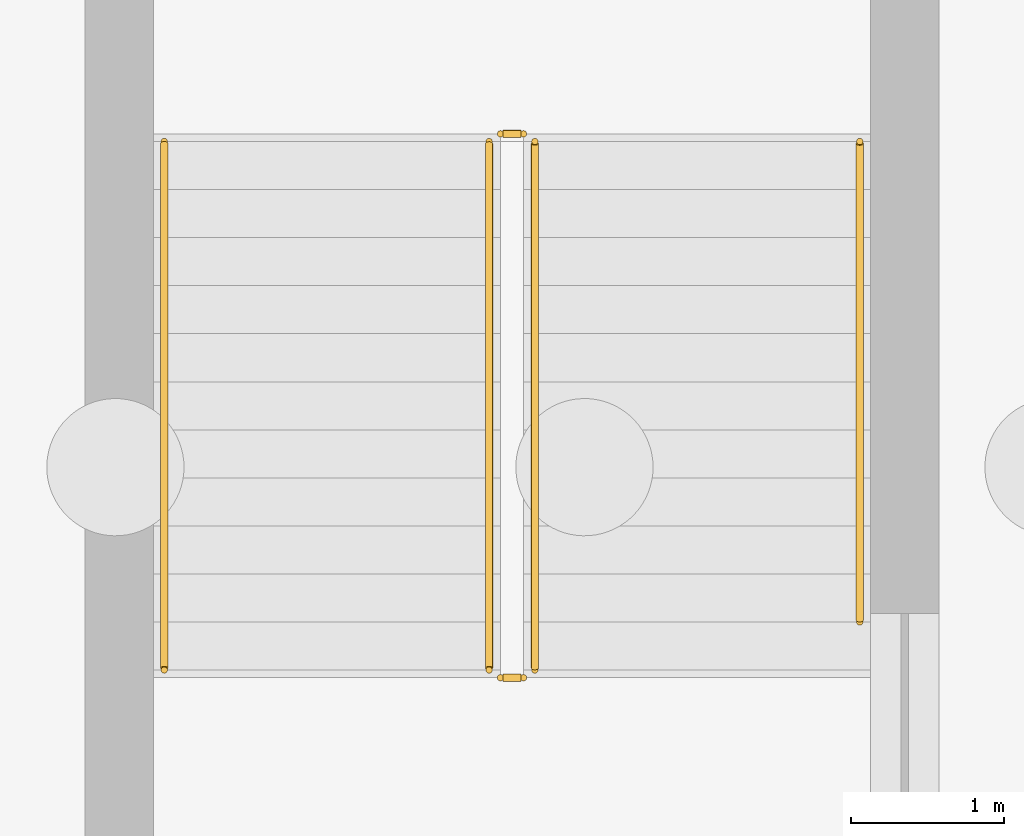
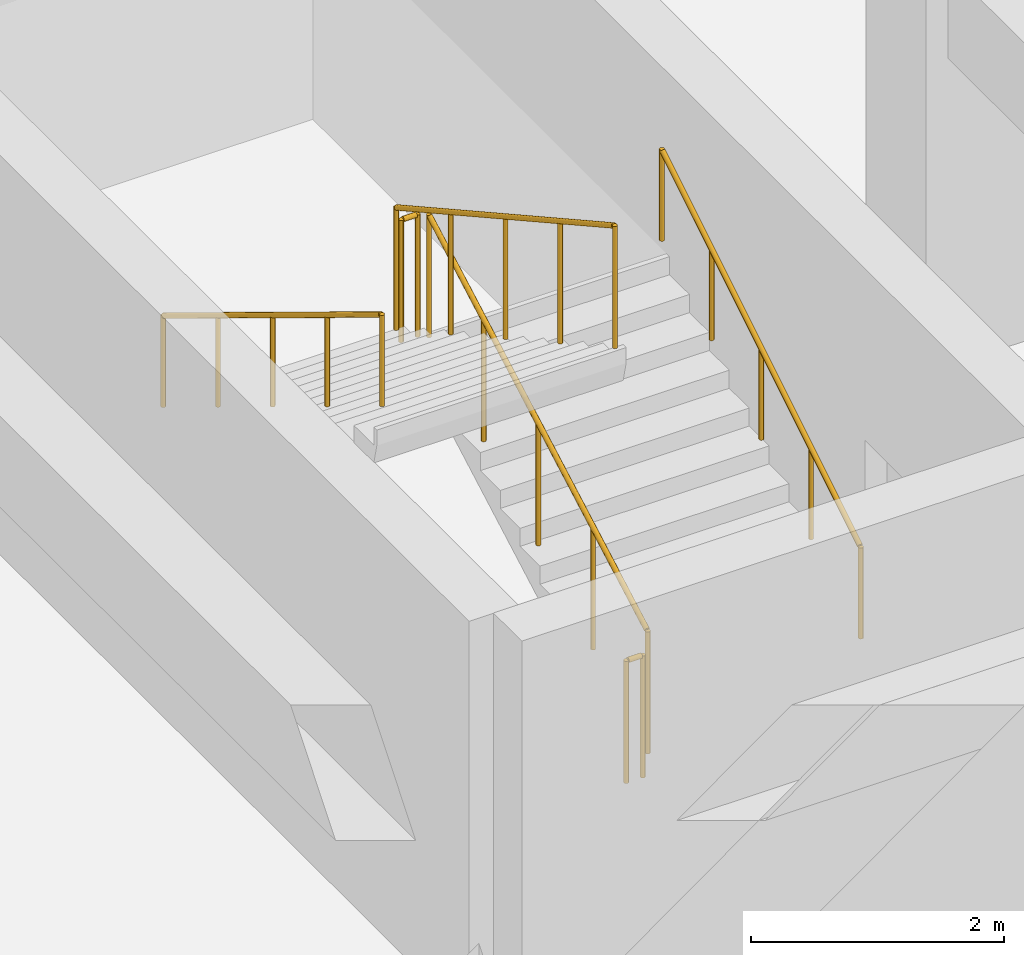
# One storey, part 29 of 39: 6 railings.
"""IFC4 building model written with IfcOpenShell, lengths in metres."""

from ifc_helpers import new_model, si_unit, direction, frame, origin, origin_2d, place, context, subcontext, project, spatial, circle, extrude, material, type_object, element, save


model = new_model("IFC4")

# Units and contexts
model_context = context("Model", 3, precision=1e-05, world=origin(), true_north=direction((0.0, 1.0)))
body_context = subcontext(model_context, "Body", "Model", "MODEL_VIEW")
ifc_project = project(units=[si_unit("LENGTHUNIT", "METRE"), si_unit("AREAUNIT", "SQUARE_METRE"), si_unit("VOLUMEUNIT", "CUBIC_METRE"), si_unit("PLANEANGLEUNIT", "RADIAN"), si_unit("MASSUNIT", "GRAM", prefix="KILO")], contexts=[model_context])

# Site, building, storey
site_placement = place(None, origin())
site = spatial("IfcSite", under=ifc_project, at=site_placement, CompositionType="ELEMENT")
building_placement = place(site_placement, origin())
building = spatial("IfcBuilding", under=site, at=building_placement, Name="Nakhvara Creek Congress Hotel", CompositionType="ELEMENT")
storey_placement = place(building_placement, frame((0.0, 0.0, -8.39990234375)))
storey = spatial("IfcBuildingStorey", under=building, at=storey_placement, Name="B2", CompositionType="ELEMENT", Elevation=-8.39990234375)

# Railings
ifc_material = material(Name="Brushed stainless steel 316L", Category="steel")
railing_type_1 = type_object("IfcRailingType", Name="RL-GUARD-1200", PredefinedType="GUARDRAIL", material=ifc_material)
railing_1_placement = place(storey_placement, frame((119.675048828125, 5.47998046875, 0.1748046875)))
element("IfcRailing", 1, at=railing_1_placement, inside=storey, type_object=railing_type_1, Name="B2 ST12 stair guard 1", PredefinedType="GUARDRAIL", context=body_context, shape_type="SweptSolid", body=[
    extrude(circle(Radius=0.02392578125, at=origin_2d()), frame((0.0, 0.012939453125, 1.18310546875), z_axis=(0.0, 0.874157276122, 0.485642931179), x_axis=(-1.0, 0.0, 0.0)), (0.0, 0.0, 1.0), 3.9345703125),
    extrude(circle(Radius=0.02099609375, at=origin_2d()), origin(), (0.0, 0.0, 1.0), 1.1806640625),
    extrude(circle(Radius=0.02099609375, at=origin_2d()), frame((0.0, 0.8662109375, 0.481201171875)), (0.0, 0.0, 1.0), 1.1806640625),
    extrude(circle(Radius=0.02099609375, at=origin_2d()), frame((0.0, 1.732421875, 0.96240234375)), (0.0, 0.0, 1.0), 1.1806640625),
    extrude(circle(Radius=0.02099609375, at=origin_2d()), frame((0.0, 2.598876953125, 1.44384765625)), (0.0, 0.0, 1.0), 1.1806640625),
    extrude(circle(Radius=0.02099609375, at=origin_2d()), frame((0.0, 3.465087890625, 1.925048828125)), (0.0, 0.0, 1.0), 1.1806640625),
])
railing_2_placement = place(storey_placement, frame((119.60009765625, 8.9951171875, 2.099853515625)))
element("IfcRailing", 2, at=railing_2_placement, inside=storey, type_object=railing_type_1, Name="B2 ST12 stair guard 2", PredefinedType="GUARDRAIL", context=body_context, shape_type="SweptSolid", body=[
    extrude(circle(Radius=0.02392578125, at=origin_2d()), frame((-0.0146484375, 0.0, 1.17578125), z_axis=(-1.0, 0.0, 0.0), x_axis=(0.0, -1.0, 0.0)), (0.0, 0.0, 1.0), 0.120849609375),
    extrude(circle(Radius=0.02099609375, at=origin_2d()), origin(), (0.0, 0.0, 1.0), 1.1806640625),
    extrude(circle(Radius=0.02099609375, at=origin_2d()), frame((-0.150146484375, 0.0, 0.0)), (0.0, 0.0, 1.0), 1.1806640625),
])
railing_3_placement = place(storey_placement, frame((119.375, 8.945068359375, 2.27490234375)))
element("IfcRailing", 3, at=railing_3_placement, inside=storey, type_object=railing_type_1, Name="B2 ST12 stair guard 3", PredefinedType="GUARDRAIL", context=body_context, shape_type="SweptSolid", body=[
    extrude(circle(Radius=0.02392578125, at=origin_2d()), frame((0.0, -0.012939453125, 1.18310546875), z_axis=(0.0, -0.874157276122, 0.485642931179), x_axis=(1.0, 0.0, 0.0)), (0.0, 0.0, 1.0), 3.9345703125),
    extrude(circle(Radius=0.02099609375, at=origin_2d()), origin(), (0.0, 0.0, 1.0), 1.1806640625),
    extrude(circle(Radius=0.02099609375, at=origin_2d()), frame((0.0, -0.8662109375, 0.481201171875)), (0.0, 0.0, 1.0), 1.1806640625),
    extrude(circle(Radius=0.02099609375, at=origin_2d()), frame((0.0, -1.732421875, 0.96240234375)), (0.0, 0.0, 1.0), 1.1806640625),
    extrude(circle(Radius=0.02099609375, at=origin_2d()), frame((0.0, -2.598876953125, 1.44384765625)), (0.0, 0.0, 1.0), 1.1806640625),
    extrude(circle(Radius=0.02099609375, at=origin_2d()), frame((0.0, -3.465087890625, 1.925048828125)), (0.0, 0.0, 1.0), 1.1806640625),
])
railing_4_placement = place(storey_placement, frame((119.60009765625, 5.429931640625, 0.0)))
element("IfcRailing", 4, at=railing_4_placement, inside=storey, type_object=railing_type_1, Name="B2 ST12 stair guard 4", PredefinedType="GUARDRAIL", context=body_context, shape_type="SweptSolid", body=[
    extrude(circle(Radius=0.02392578125, at=origin_2d()), frame((-0.0146484375, 0.0, 1.17578125), z_axis=(-1.0, 0.0, 0.0), x_axis=(0.0, -1.0, 0.0)), (0.0, 0.0, 1.0), 0.120849609375),
    extrude(circle(Radius=0.02099609375, at=origin_2d()), origin(), (0.0, 0.0, 1.0), 1.1806640625),
    extrude(circle(Radius=0.02099609375, at=origin_2d()), frame((-0.150146484375, 0.0, 0.0)), (0.0, 0.0, 1.0), 1.1806640625),
])
railing_type_2 = type_object("IfcRailingType", Name="RL-HAND-900", PredefinedType="HANDRAIL", material=ifc_material)
railing_5_placement = place(storey_placement, frame((121.804931640625, 5.794921875, 0.349853515625)))
element("IfcRailing", 5, at=railing_5_placement, inside=storey, type_object=railing_type_2, Name="B2 ST12 stair handrail 1", PredefinedType="HANDRAIL", context=body_context, shape_type="SweptSolid", body=[
    extrude(circle(Radius=0.02392578125, at=origin_2d()), frame((0.0, 0.012451171875, 0.883544921875), z_axis=(0.0, 0.851961960065, 0.523603684672), x_axis=(-1.0, 0.0, 0.0)), (0.0, 0.0, 1.0), 3.668212890625),
    extrude(circle(Radius=0.02099609375, at=origin_2d()), origin(), (0.0, 0.0, 1.0), 0.880615234375),
    extrude(circle(Radius=0.02099609375, at=origin_2d()), frame((0.0, 0.78759765625, 0.48388671875)), (0.0, 0.0, 1.0), 0.880615234375),
    extrude(circle(Radius=0.02099609375, at=origin_2d()), frame((0.0, 1.5751953125, 0.968017578125)), (0.0, 0.0, 1.0), 0.880615234375),
    extrude(circle(Radius=0.02099609375, at=origin_2d()), frame((0.0, 2.362548828125, 1.4521484375)), (0.0, 0.0, 1.0), 0.880615234375),
    extrude(circle(Radius=0.02099609375, at=origin_2d()), frame((0.0, 3.150146484375, 1.93603515625)), (0.0, 0.0, 1.0), 0.880615234375),
])
railing_6_placement = place(storey_placement, frame((117.2451171875, 8.945068359375, 2.27490234375)))
element("IfcRailing", 6, at=railing_6_placement, inside=storey, type_object=railing_type_2, Name="B2 ST12 stair handrail 2", PredefinedType="HANDRAIL", context=body_context, shape_type="SweptSolid", body=[
    extrude(circle(Radius=0.02392578125, at=origin_2d()), frame((0.0, -0.012451171875, 0.883544921875), z_axis=(0.0, -0.853990507121, 0.520288586985), x_axis=(1.0, 0.0, 0.0)), (0.0, 0.0, 1.0), 4.028076171875),
    extrude(circle(Radius=0.02099609375, at=origin_2d()), origin(), (0.0, 0.0, 1.0), 0.880615234375),
    extrude(circle(Radius=0.02099609375, at=origin_2d()), frame((0.0, -0.8662109375, 0.52783203125)), (0.0, 0.0, 1.0), 0.880615234375),
    extrude(circle(Radius=0.02099609375, at=origin_2d()), frame((0.0, -1.732421875, 1.0556640625)), (0.0, 0.0, 1.0), 0.880615234375),
    extrude(circle(Radius=0.02099609375, at=origin_2d()), frame((0.0, -2.598876953125, 1.583251953125)), (0.0, 0.0, 1.0), 0.880615234375),
    extrude(circle(Radius=0.02099609375, at=origin_2d()), frame((0.0, -3.465087890625, 2.111083984375)), (0.0, 0.0, 1.0), 0.880615234375),
])

save(model, "model.ifc")
